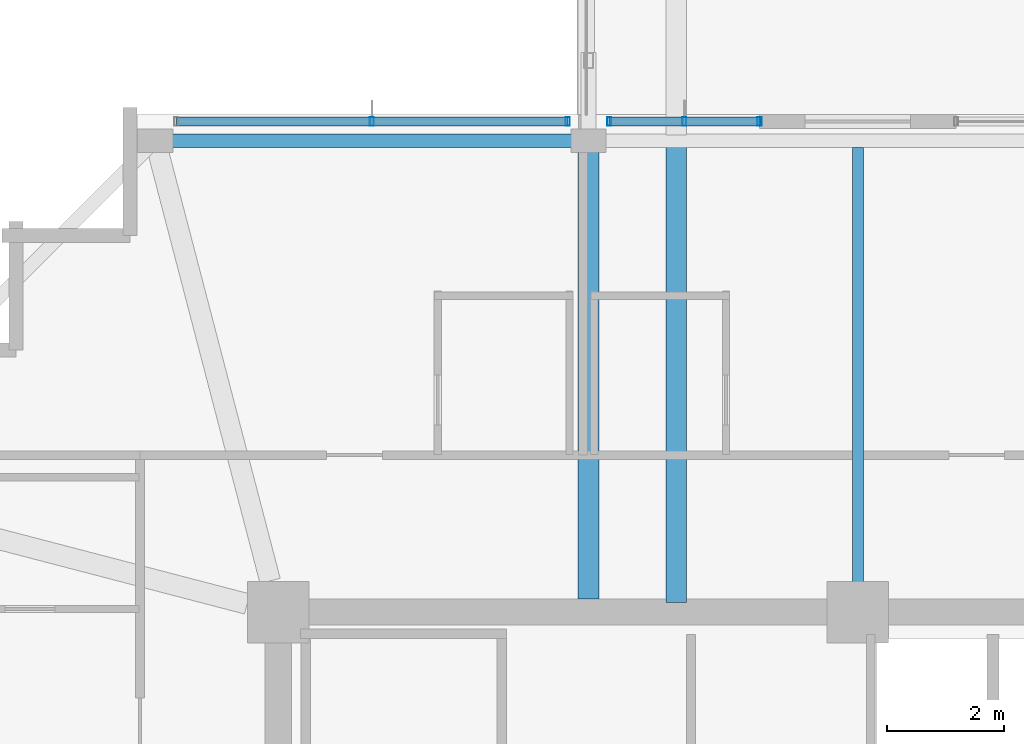
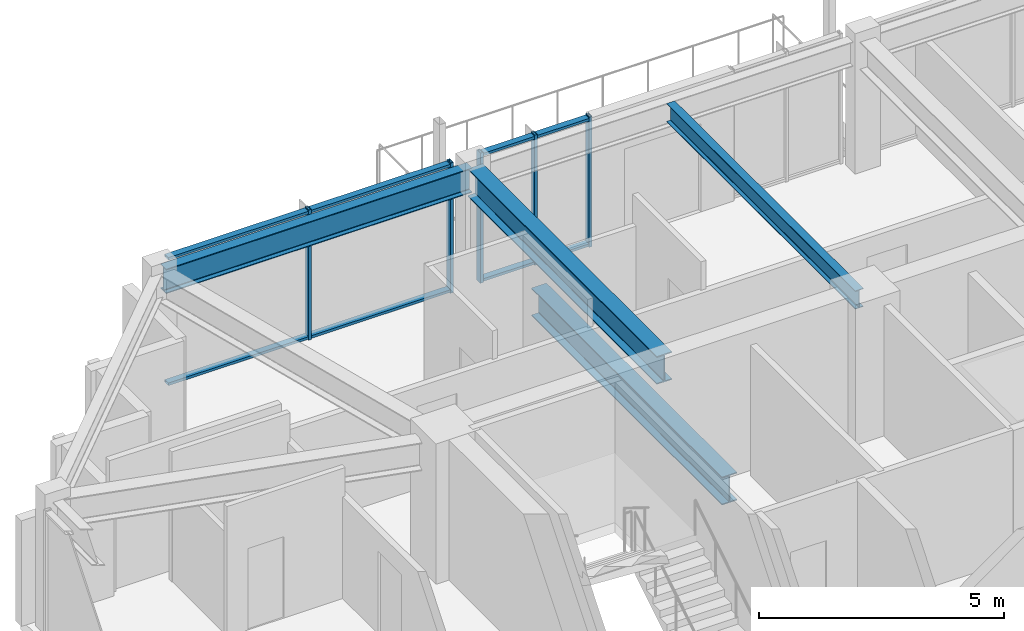
# One storey, part 15 of 31: 9 members, 4 beams, 2 elements without a shape of their own.
"""IFC4 building model written with IfcOpenShell, lengths in metres."""

from ifc_helpers import new_model, si_unit, direction, frame, origin, origin_2d, place, context, subcontext, project, spatial, hollow_rectangle, i_section, extrude, material, material_profile, profile_set, type_object, element, aggregate, save


model = new_model("IFC4")

# Units and contexts
model_context = context("Model", 3, precision=1e-05, world=origin(), true_north=direction((0.0, 1.0)))
body_context = subcontext(model_context, "Body", "Model", "MODEL_VIEW")
ifc_project = project(units=[si_unit("LENGTHUNIT", "METRE"), si_unit("AREAUNIT", "SQUARE_METRE"), si_unit("VOLUMEUNIT", "CUBIC_METRE"), si_unit("PLANEANGLEUNIT", "RADIAN"), si_unit("MASSUNIT", "GRAM", prefix="KILO")], contexts=[model_context])

# Site, building, storey
site_placement = place(None, origin())
site = spatial("IfcSite", under=ifc_project, at=site_placement, CompositionType="ELEMENT")
building_placement = place(site_placement, origin())
building = spatial("IfcBuilding", under=site, at=building_placement, Name="Kolvaren Belvedere", CompositionType="ELEMENT")
storey_placement = place(building_placement, frame((0.0, 0.0, 251.39990234375)))
storey = spatial("IfcBuildingStorey", under=building, at=storey_placement, Name="L73", CompositionType="ELEMENT", Elevation=251.39990234375)

# Beams
ifc_material_1 = material(Name="Structural steel ASTM A992 Grade 50", Category="steel")
ifc_material_profile_1 = material_profile(ifc_material_1, i_section(OverallWidth=0.35498046875, OverallDepth=0.696044921875, WebThickness=0.015380859375, FlangeThickness=0.02490234375, FilletRadius=0.02197265625, at=origin_2d()), Name="W27X146")
ifc_profile_set_1 = profile_set([ifc_material_profile_1], Name="Structural steel ASTM A992 Grade 50")
beam_type_1 = type_object("IfcBeamType", Name="BM-GIRD-W27X146", PredefinedType="BEAM", material=ifc_profile_set_1)
beam_1_placement = place(storey_placement, frame((-3.10009765625, 10.06494140625, -0.597900390625), z_axis=(0.0, 1.0, 0.0), x_axis=(-1.0, 0.0, 0.0)))
element("IfcBeam", 1, at=beam_1_placement, inside=storey, type_object=beam_type_1, Name="L73 Balcony Interior Back-Span Girder SPIRAL-12-N-1", PredefinedType="BEAM", context=body_context, shape_type="SweptSolid", body=[
    extrude(i_section(OverallWidth=0.35498046875, OverallDepth=0.696044921875, WebThickness=0.015380859375, FlangeThickness=0.02490234375, FilletRadius=0.02197265625, at=origin_2d()), origin(), (0.0, 0.0, 1.0), 7.7900390625),
])
beam_2_placement = place(storey_placement, frame((-4.60009765625, 10.125, 2.902099609375), z_axis=(0.0, 1.0, 0.0), x_axis=(-1.0, 0.0, 0.0)))
element("IfcBeam", 2, at=beam_2_placement, inside=storey, type_object=beam_type_1, Name="L73 North Radial Girder M", PredefinedType="BEAM", context=body_context, shape_type="SweptSolid", body=[
    extrude(i_section(OverallWidth=0.35498046875, OverallDepth=0.696044921875, WebThickness=0.015380859375, FlangeThickness=0.02490234375, FilletRadius=0.02197265625, at=origin_2d()), origin(), (0.0, 0.0, 1.0), 7.735107421875),
])
ifc_material_2 = material(Name="Structural steel ASTM A992 Grade 50", Category="steel")
ifc_material_profile_2 = material_profile(ifc_material_2, i_section(OverallWidth=0.19091796875, OverallDepth=0.4599609375, WebThickness=0.010009765625, FlangeThickness=0.01611328125, FilletRadius=0.014892578125, at=origin_2d()), Name="W18X55")
ifc_profile_set_2 = profile_set([ifc_material_profile_2], Name="Structural steel ASTM A992 Grade 50")
beam_type_2 = type_object("IfcBeamType", Name="BM-JOIST-W18X55", PredefinedType="BEAM", material=ifc_profile_set_2)
beam_3_placement = place(storey_placement, frame((0.0, 10.125, 3.02001953125), z_axis=(0.0, 1.0, 0.0), x_axis=(-1.0, 0.0, 0.0)))
element("IfcBeam", 3, at=beam_3_placement, inside=storey, type_object=beam_type_2, Name="L73 North Centre Floor Beam", PredefinedType="BEAM", context=body_context, shape_type="SweptSolid", body=[
    extrude(i_section(OverallWidth=0.19091796875, OverallDepth=0.4599609375, WebThickness=0.010009765625, FlangeThickness=0.01611328125, FilletRadius=0.014892578125, at=origin_2d()), origin(), (0.0, 0.0, 1.0), 7.71044921875),
])
ifc_material_3 = material(Name="Structural steel ASTM A992 Grade 50", Category="steel")
ifc_material_profile_3 = material_profile(ifc_material_3, i_section(OverallWidth=0.22900390625, OverallDepth=0.612060546875, WebThickness=0.011962890625, FlangeThickness=0.01953125, FilletRadius=0.01806640625, at=origin_2d()), Name="W24X84")
ifc_profile_set_3 = profile_set([ifc_material_profile_3], Name="Structural steel ASTM A992 Grade 50")
beam_type_3 = type_object("IfcBeamType", Name="BM-SPAN-W24X84", PredefinedType="SPANDREL", material=ifc_profile_set_3)
beam_4_placement = place(storey_placement, frame((-4.68994140625, 17.949951171875, 2.944091796875), z_axis=(-1.0, 0.0, 0.0), x_axis=(0.0, -1.0, 0.0)))
element("IfcBeam", 4, at=beam_4_placement, inside=storey, type_object=beam_type_3, Name="L73 Perimeter Spandrel N2-N1", PredefinedType="SPANDREL", context=body_context, shape_type="SweptSolid", body=[
    extrude(i_section(OverallWidth=0.22900390625, OverallDepth=0.612060546875, WebThickness=0.011962890625, FlangeThickness=0.01953125, FilletRadius=0.01806640625, at=origin_2d()), origin(), (0.0, 0.0, 1.0), 7.219970703125),
])

# Curtain wall, members
ifc_material_4 = material(Name="Anodised pale-metal aluminium AA 6063-T6", Category="aluminium")
curtain_wall_type = type_object("IfcCurtainWallType", Name="CW-Z5-HIGH", PredefinedType="NOTDEFINED", material=ifc_material_4)
curtain_wall_1_placement = place(storey_placement, origin())
curtain_wall_1 = element("IfcCurtainWall", 5, at=curtain_wall_1_placement, inside=storey, type_object=curtain_wall_type, Name="L73 Unitised Curtain Wall FCW-L73-N1-B1", PredefinedType="NOTDEFINED")
ifc_material_5 = material(Name="Anodised pale-metal aluminium AA 6063-T6", Category="aluminium")
ifc_material_profile_4 = material_profile(ifc_material_5, hollow_rectangle(XDim=0.070068359375, YDim=0.14990234375, WallThickness=0.004150390625, at=origin_2d()), Name="ALU-MUL-150X70")
ifc_profile_set_4 = profile_set([ifc_material_profile_4], Name="Anodised pale-metal aluminium AA 6063-T6")
member_type_1 = type_object("IfcMemberType", Name="CW-MUL-150", PredefinedType="MULLION", material=ifc_profile_set_4)
member_1_placement = place(storey_placement, frame((-8.300048828125, 18.280029296875, 0.0), z_axis=(0.0, 0.0, 1.0), x_axis=(1.0, 0.0, 0.0)))
member_1 = element("IfcMember", 6, at=member_1_placement, type_object=member_type_1, Name="FCW-L73-N1-B1 Unitised Mullion 2", PredefinedType="MULLION", context=body_context, shape_type="SweptSolid", body=[
    extrude(hollow_rectangle(XDim=0.070068359375, YDim=0.14990234375, WallThickness=0.004150390625, at=origin_2d()), origin(), (0.0, 0.0, 1.0), 3.25),
])
member_2_placement = place(storey_placement, frame((-4.955078125, 18.280029296875, 0.0), z_axis=(0.0, 0.0, 1.0), x_axis=(1.0, 0.0, 0.0)))
member_2 = element("IfcMember", 7, at=member_2_placement, type_object=member_type_1, Name="FCW-L73-N1-B1 Unitised Mullion 3", PredefinedType="MULLION", context=body_context, shape_type="SweptSolid", body=[
    extrude(hollow_rectangle(XDim=0.070068359375, YDim=0.14990234375, WallThickness=0.004150390625, at=origin_2d()), origin(), (0.0, 0.0, 1.0), 3.25),
])

curtain_wall_2_placement = place(storey_placement, origin())
curtain_wall_2 = element("IfcCurtainWall", 8, at=curtain_wall_2_placement, inside=storey, type_object=curtain_wall_type, Name="L73 Unitised Curtain Wall FCW-L73-N1-B2", PredefinedType="NOTDEFINED")
member_3_placement = place(storey_placement, frame((-4.2451171875, 18.280029296875, 0.0), z_axis=(0.0, 0.0, 1.0), x_axis=(1.0, 0.0, 0.0)))
member_3 = element("IfcMember", 9, at=member_3_placement, type_object=member_type_1, Name="FCW-L73-N1-B2 Unitised Mullion 1", PredefinedType="MULLION", context=body_context, shape_type="SweptSolid", body=[
    extrude(hollow_rectangle(XDim=0.070068359375, YDim=0.14990234375, WallThickness=0.004150390625, at=origin_2d()), origin(), (0.0, 0.0, 1.0), 3.25),
])
member_4_placement = place(storey_placement, frame((-2.96240234375, 18.280029296875, 0.0), z_axis=(0.0, 0.0, 1.0), x_axis=(1.0, 0.0, 0.0)))
member_4 = element("IfcMember", 10, at=member_4_placement, type_object=member_type_1, Name="FCW-L73-N1-B2 Unitised Mullion 2", PredefinedType="MULLION", context=body_context, shape_type="SweptSolid", body=[
    extrude(hollow_rectangle(XDim=0.070068359375, YDim=0.14990234375, WallThickness=0.004150390625, at=origin_2d()), origin(), (0.0, 0.0, 1.0), 3.25),
])
member_5_placement = place(storey_placement, frame((-1.679931640625, 18.280029296875, 0.0), z_axis=(0.0, 0.0, 1.0), x_axis=(1.0, 0.0, 0.0)))
member_5 = element("IfcMember", 11, at=member_5_placement, type_object=member_type_1, Name="FCW-L73-N1-B2 Unitised Mullion 3", PredefinedType="MULLION", context=body_context, shape_type="SweptSolid", body=[
    extrude(hollow_rectangle(XDim=0.070068359375, YDim=0.14990234375, WallThickness=0.004150390625, at=origin_2d()), origin(), (0.0, 0.0, 1.0), 3.25),
])

# Member
ifc_material_6 = material(Name="Anodised pale-metal aluminium AA 6063-T6", Category="aluminium")
ifc_material_profile_5 = material_profile(ifc_material_6, hollow_rectangle(XDim=0.06494140625, YDim=0.14990234375, WallThickness=0.00390625, at=origin_2d()), Name="ALU-TRN-150X65")
ifc_profile_set_5 = profile_set([ifc_material_profile_5], Name="Anodised pale-metal aluminium AA 6063-T6")
member_type_2 = type_object("IfcMemberType", Name="CW-TRN-150", PredefinedType="USERDEFINED", material=ifc_profile_set_5)
member_6_placement = place(storey_placement, frame((-11.64501953125, 18.280029296875, 0.06005859375), z_axis=(1.0, 0.0, 0.0), x_axis=(0.0, 0.0, 1.0)))
member_6 = element("IfcMember", 12, at=member_6_placement, type_object=member_type_2, Name="FCW-L73-N1-B1 Sill Transom", ObjectType="TRANSOM", PredefinedType="USERDEFINED", context=body_context, shape_type="SweptSolid", body=[
    extrude(hollow_rectangle(XDim=0.06494140625, YDim=0.14990234375, WallThickness=0.00390625, at=origin_2d()), origin(), (0.0, 0.0, 1.0), 6.68994140625),
])

member_7_placement = place(storey_placement, frame((-11.64501953125, 18.280029296875, 3.190185546875), z_axis=(1.0, 0.0, 0.0), x_axis=(0.0, 0.0, 1.0)))
member_7 = element("IfcMember", 13, at=member_7_placement, type_object=member_type_2, Name="FCW-L73-N1-B1 Head Transom", ObjectType="TRANSOM", PredefinedType="USERDEFINED", context=body_context, shape_type="SweptSolid", body=[
    extrude(hollow_rectangle(XDim=0.06494140625, YDim=0.14990234375, WallThickness=0.00390625, at=origin_2d()), origin(), (0.0, 0.0, 1.0), 6.68994140625),
])

aggregate(curtain_wall_1, [member_1, member_2, member_6, member_7])

member_8_placement = place(storey_placement, frame((-4.2451171875, 18.280029296875, 0.06005859375), z_axis=(1.0, 0.0, 0.0), x_axis=(0.0, 0.0, 1.0)))
member_8 = element("IfcMember", 14, at=member_8_placement, type_object=member_type_2, Name="FCW-L73-N1-B2 Sill Transom", ObjectType="TRANSOM", PredefinedType="USERDEFINED", context=body_context, shape_type="SweptSolid", body=[
    extrude(hollow_rectangle(XDim=0.06494140625, YDim=0.14990234375, WallThickness=0.00390625, at=origin_2d()), origin(), (0.0, 0.0, 1.0), 2.565185546875),
])

member_9_placement = place(storey_placement, frame((-4.2451171875, 18.280029296875, 3.190185546875), z_axis=(1.0, 0.0, 0.0), x_axis=(0.0, 0.0, 1.0)))
member_9 = element("IfcMember", 15, at=member_9_placement, type_object=member_type_2, Name="FCW-L73-N1-B2 Head Transom", ObjectType="TRANSOM", PredefinedType="USERDEFINED", context=body_context, shape_type="SweptSolid", body=[
    extrude(hollow_rectangle(XDim=0.06494140625, YDim=0.14990234375, WallThickness=0.00390625, at=origin_2d()), origin(), (0.0, 0.0, 1.0), 2.565185546875),
])

aggregate(curtain_wall_2, [member_3, member_4, member_5, member_8, member_9])

save(model, "model.ifc")
